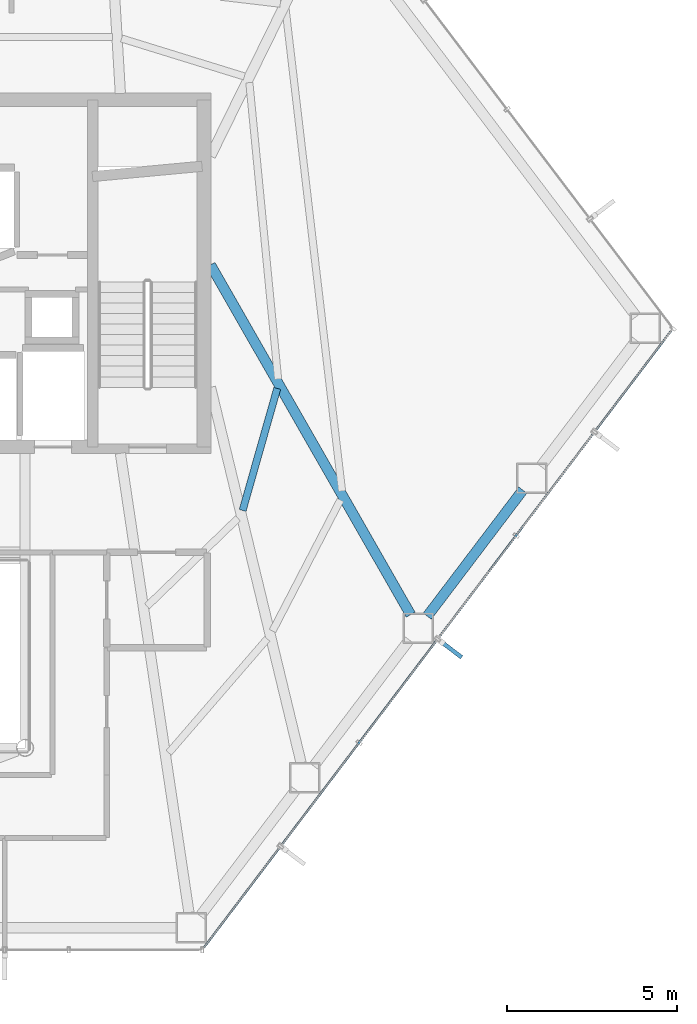
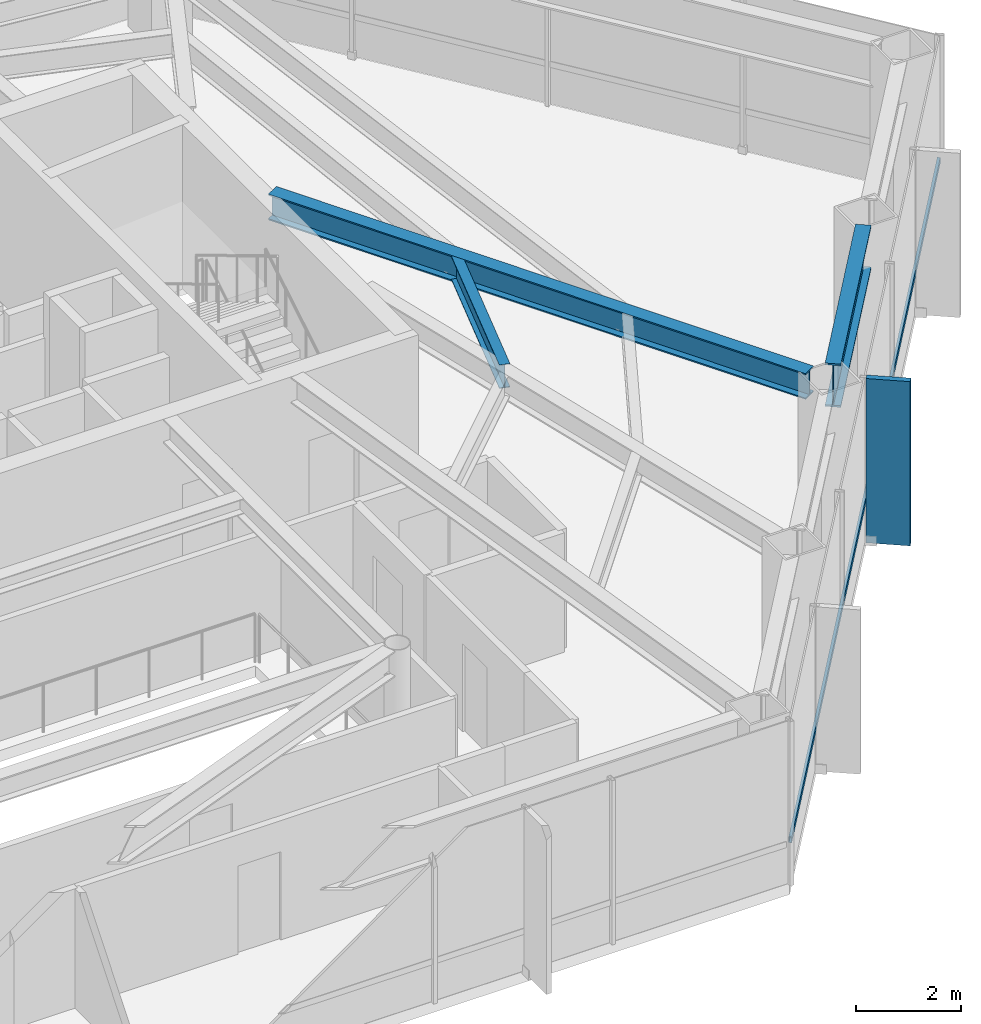
# One storey, part 16 of 25: 3 beams, 2 members, 1 element without a shape of its own.
"""IFC4 building model written with IfcOpenShell, lengths in metres."""

from ifc_helpers import new_model, si_unit, direction, frame, origin, origin_2d, place, context, subcontext, project, spatial, rectangle, hollow_rectangle, i_section, extrude, material, layer, layer_set, material_profile, profile_set, type_object, element, aggregate, save


model = new_model("IFC4")

# Units and contexts
model_context = context("Model", 3, precision=1e-05, world=origin(), true_north=direction((0.0, 1.0)))
body_context = subcontext(model_context, "Body", "Model", "MODEL_VIEW")
ifc_project = project(units=[si_unit("LENGTHUNIT", "METRE"), si_unit("AREAUNIT", "SQUARE_METRE"), si_unit("VOLUMEUNIT", "CUBIC_METRE"), si_unit("PLANEANGLEUNIT", "RADIAN"), si_unit("MASSUNIT", "GRAM", prefix="KILO")], contexts=[model_context])

# Site, building, storey
site_placement = place(None, origin())
site = spatial("IfcSite", under=ifc_project, at=site_placement, CompositionType="ELEMENT")
building_placement = place(site_placement, origin())
building = spatial("IfcBuilding", under=site, at=building_placement, Name="Zarrinselat Tower", CompositionType="ELEMENT")
storey_placement = place(building_placement, frame((0.0, 0.0, 88.739990234375)))
storey = spatial("IfcBuildingStorey", under=building, at=storey_placement, Name="L21", CompositionType="ELEMENT", Elevation=88.739990234375)

# Beams
ifc_material_1 = material(Name="Steel S355J2", Category="steel")
ifc_material_profile_1 = material_profile(ifc_material_1, i_section(OverallWidth=0.300048828125, OverallDepth=0.60009765625, WebThickness=0.015380859375, FlangeThickness=0.030029296875, at=origin_2d()), Name="HEB 600")
ifc_profile_set_1 = profile_set([ifc_material_profile_1], Name="Steel S355J2")
beam_type_1 = type_object("IfcBeamType", Name="BM-HEB600", PredefinedType="BEAM", material=ifc_profile_set_1)
beam_1_placement = place(storey_placement, frame((48.449951171875, 38.60009765625, 3.52001953125), z_axis=(0.496587078993, -0.867986908298, 0.0), x_axis=(0.867986908298, 0.496587078993, 0.0)))
element("IfcBeam", 1, at=beam_1_placement, inside=storey, type_object=beam_type_1, Name="L21 Radial Primary Girder RG13", PredefinedType="BEAM", context=body_context, shape_type="SweptSolid", body=[
    extrude(i_section(OverallWidth=0.300048828125, OverallDepth=0.60009765625, WebThickness=0.015380859375, FlangeThickness=0.030029296875, at=origin_2d()), origin(), (0.0, 0.0, 1.0), 11.849365234375),
])
ifc_material_2 = material(Name="Steel S460M", Category="steel")
ifc_material_profile_2 = material_profile(ifc_material_2, i_section(OverallWidth=0.302001953125, OverallDepth=1.008056640625, WebThickness=0.02099609375, FlangeThickness=0.0400390625, at=origin_2d()), Name="HEM 1000")
ifc_profile_set_2 = profile_set([ifc_material_profile_2], Name="Steel S460M")
beam_type_2 = type_object("IfcBeamType", Name="BM-HEM1000", PredefinedType="BEAM", material=ifc_profile_set_2)
beam_2_placement = place(storey_placement, frame((54.8232421875, 28.271728515625, 3.31591796875), z_axis=(0.603822320769, 0.797118940273, 0.0), x_axis=(-0.797118940273, 0.603822320769, 0.0)))
element("IfcBeam", 2, at=beam_2_placement, inside=storey, type_object=beam_type_2, Name="L21 Perimeter Spandrel Girder SP13", PredefinedType="BEAM", context=body_context, shape_type="SweptSolid", body=[
    extrude(i_section(OverallWidth=0.302001953125, OverallDepth=1.008056640625, WebThickness=0.02099609375, FlangeThickness=0.0400390625, at=origin_2d()), origin(), (0.0, 0.0, 1.0), 4.65185546875),
])
ifc_material_3 = material(Name="Steel S355J2", Category="steel")
ifc_material_profile_3 = material_profile(ifc_material_3, i_section(OverallWidth=0.2099609375, OverallDepth=0.550048828125, WebThickness=0.010986328125, FlangeThickness=0.01708984375, at=origin_2d()), Name="IPE 550")
ifc_profile_set_3 = profile_set([ifc_material_profile_3], Name="Steel S355J2")
beam_type_3 = type_object("IfcBeamType", Name="BM-IPE550", PredefinedType="JOIST", material=ifc_profile_set_3)
beam_3_placement = place(storey_placement, frame((49.394287109375, 31.379638671875, 3.544921875), z_axis=(0.272905466945, 0.9620408547, 0.0), x_axis=(-0.9620408547, 0.272905466945, 0.0)))
element("IfcBeam", 3, at=beam_3_placement, inside=storey, type_object=beam_type_3, Name="L21 Composite Floor Joist 4-2", PredefinedType="JOIST", context=body_context, shape_type="SweptSolid", body=[
    extrude(i_section(OverallWidth=0.2099609375, OverallDepth=0.550048828125, WebThickness=0.010986328125, FlangeThickness=0.01708984375, at=origin_2d()), origin(), (0.0, 0.0, 1.0), 3.73046875),
])

# Curtain wall, members
ifc_material_4 = material(Name="Extruded Aluminium Alloy EN AW-6063 T6", Category="aluminium")
ifc_layer = layer(ifc_material_4, 0.18505859375)
ifc_layer_set = layer_set([ifc_layer], Name="Extruded Aluminium Alloy EN AW-6063 T6")
curtain_wall_type = type_object("IfcCurtainWallType", Name="CWS-OFF", PredefinedType="NOTDEFINED", material=ifc_layer_set)
curtain_wall_placement = place(storey_placement, origin())
curtain_wall = element("IfcCurtainWall", 4, at=curtain_wall_placement, inside=storey, type_object=curtain_wall_type, Name="L21 Unitised Curtain Wall CW-L21-E05", PredefinedType="NOTDEFINED")
ifc_material_5 = material(Name="Extruded Aluminium Alloy EN AW-6063 T6", Category="aluminium")
ifc_material_profile_4 = material_profile(ifc_material_5, hollow_rectangle(XDim=0.06005859375, YDim=0.139892578125, WallThickness=0.00390625, at=origin_2d()), Name="RHS 140x60x4")
ifc_profile_set_4 = profile_set([ifc_material_profile_4], Name="Extruded Aluminium Alloy EN AW-6063 T6")
member_type_1 = type_object("IfcMemberType", Name="MEM-CW-TRN", PredefinedType="USERDEFINED", material=ifc_profile_set_4)
member_1_placement = place(storey_placement, frame((48.260009765625, 18.53173828125, 0.949951171875), z_axis=(0.603858514557, 0.79709152197, 0.0), x_axis=(-0.79709152197, 0.603858514557, 0.0)))
member_1 = element("IfcMember", 5, at=member_1_placement, type_object=member_type_1, Name="CW-L21-E05 Transom 1", ObjectType="TRANSOM", PredefinedType="USERDEFINED", context=body_context, shape_type="SweptSolid", body=[
    extrude(hollow_rectangle(XDim=0.06005859375, YDim=0.139892578125, WallThickness=0.00390625, at=origin_2d()), origin(), (0.0, 0.0, 1.0), 22.7470703125),
])
ifc_material_6 = material(Name="Honed Cream Travertine Stone", Category="masonry")
ifc_material_profile_5 = material_profile(ifc_material_6, rectangle(XDim=0.1201171875, YDim=0.85009765625, at=origin_2d()), Name="FIN 850x120")
ifc_profile_set_5 = profile_set([ifc_material_profile_5], Name="Honed Cream Travertine Stone")
member_type_2 = type_object("IfcMemberType", Name="MEM-STONE-FIN", PredefinedType="USERDEFINED", material=ifc_profile_set_5)
member_2_placement = place(storey_placement, frame((55.49462890625, 27.31982421875, 0.0), z_axis=(0.0, 0.0, 1.0), x_axis=(-0.603855672579, -0.797093674981, 0.0)))
member_2 = element("IfcMember", 6, at=member_2_placement, type_object=member_type_2, Name="L21 Stone Shading Fin CW-L21-E05-03", ObjectType="FIN", PredefinedType="USERDEFINED", context=body_context, shape_type="SweptSolid", body=[
    extrude(rectangle(XDim=0.1201171875, YDim=0.85009765625, at=origin_2d()), origin(), (0.0, 0.0, 1.0), 3.820068359375),
])
aggregate(curtain_wall, [member_2, member_1])

save(model, "model.ifc")
